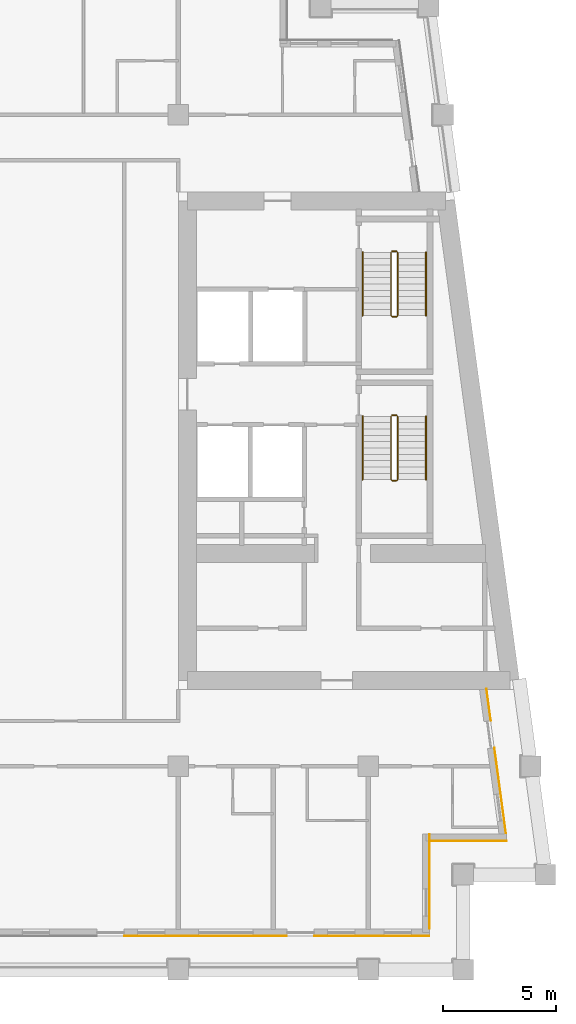
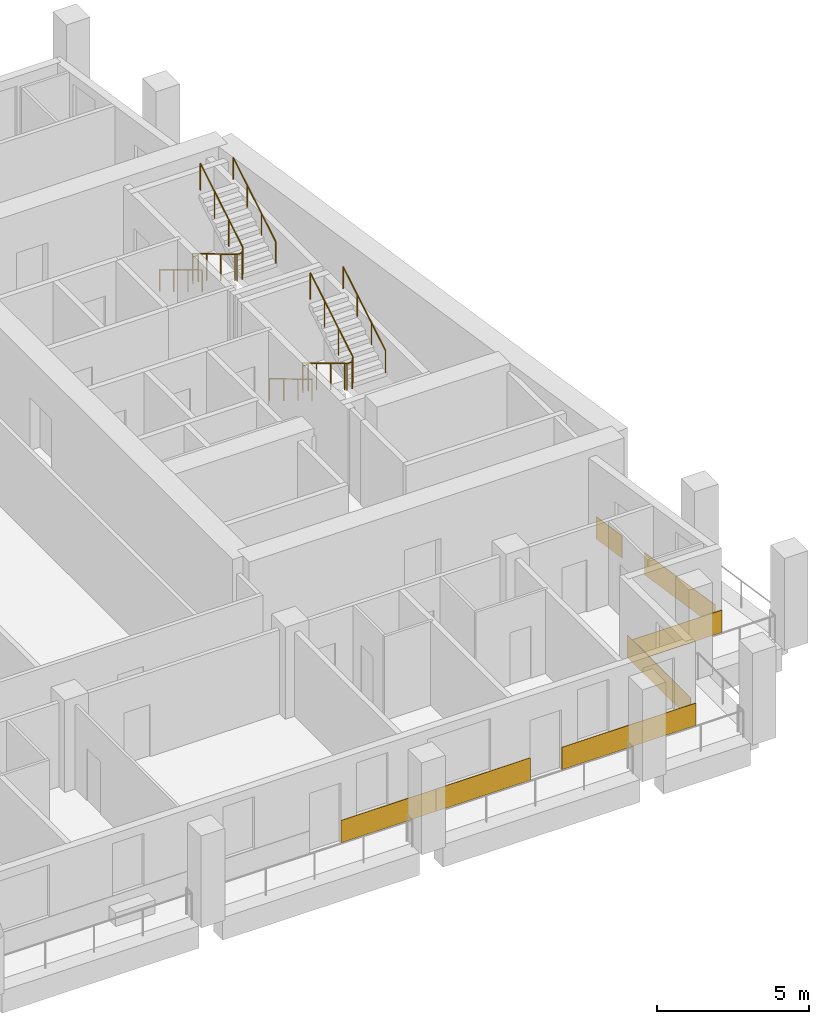
# One storey, part 10 of 12: 8 railings, 7 coverings.
"""IFC4 building model written with IfcOpenShell, lengths in metres."""

from ifc_helpers import new_model, si_unit, direction, frame, origin, origin_2d, place, context, subcontext, project, spatial, rectangle, circle, extrude, material, layer, layer_set, type_object, element, save


model = new_model("IFC4")

# Units and contexts
model_context = context("Model", 3, precision=1e-05, world=origin(), true_north=direction((0.0, 1.0)))
body_context = subcontext(model_context, "Body", "Model", "MODEL_VIEW")
ifc_project = project(units=[si_unit("LENGTHUNIT", "METRE"), si_unit("AREAUNIT", "SQUARE_METRE"), si_unit("VOLUMEUNIT", "CUBIC_METRE"), si_unit("PLANEANGLEUNIT", "RADIAN"), si_unit("MASSUNIT", "GRAM", prefix="KILO")], contexts=[model_context])

# Site, building, storey
site_placement = place(None, origin())
site = spatial("IfcSite", under=ifc_project, at=site_placement, CompositionType="ELEMENT")
building_placement = place(site_placement, origin())
building = spatial("IfcBuilding", under=site, at=building_placement, Name="Candeia Pilgrim Tower and Theatre", CompositionType="ELEMENT")
storey_placement = place(building_placement, frame((0.0, 0.0, 235.5)))
storey = spatial("IfcBuildingStorey", under=building, at=storey_placement, Name="L57", CompositionType="ELEMENT", Elevation=235.5)

# Coverings
ifc_material_1 = material(Name="Glazed ceramic tile bottle green")
ifc_layer_1 = layer(ifc_material_1, 0.02001953125)
ifc_layer_set_1 = layer_set([ifc_layer_1], Name="Glazed ceramic tile bottle green")
covering_type_1 = type_object("IfcCoveringType", Name="Glazed ceramic tile bottle green", PredefinedType="CLADDING", material=ifc_layer_set_1)
covering_1_placement = place(storey_placement, frame((125.39990234375, 99.489990234375, 0.0), z_axis=(0.0, 0.0, 1.0), x_axis=(1.0, 0.0, 0.0)))
element("IfcCovering", 1, at=covering_1_placement, inside=storey, type_object=covering_type_1, Name="Tile cladding bottle green L57", PredefinedType="CLADDING", context=body_context, shape_type="SweptSolid", body=[
    extrude(rectangle(XDim=3.60009765625, YDim=0.02001953125, at=origin_2d()), origin(), (0.0, 0.0, 1.0), 0.89990234375),
])
covering_2_placement = place(storey_placement, frame((137.110107421875, 101.909912109375, 0.0), z_axis=(0.0, 0.0, 1.0), x_axis=(0.0, 1.0, 0.0)))
element("IfcCovering", 2, at=covering_2_placement, inside=storey, type_object=covering_type_1, Name="Tile cladding bottle green L57", PredefinedType="CLADDING", context=body_context, shape_type="SweptSolid", body=[
    extrude(rectangle(XDim=4.179931640625, YDim=0.02001953125, at=origin_2d()), origin(), (0.0, 0.0, 1.0), 0.89990234375),
])
covering_3_placement = place(storey_placement, frame((140.228515625, 105.933349609375, 0.0), z_axis=(0.0, 0.0, 1.0), x_axis=(-0.133412012145, 0.991060661622, 0.0)))
element("IfcCovering", 3, at=covering_3_placement, inside=storey, type_object=covering_type_1, Name="Tile cladding bottle green L57", PredefinedType="CLADDING", context=body_context, shape_type="SweptSolid", body=[
    extrude(rectangle(XDim=3.821044921875, YDim=0.02001953125, at=origin_2d()), origin(), (0.0, 0.0, 1.0), 0.89990234375),
])
covering_4_placement = place(storey_placement, frame((139.718994140625, 109.71875, 0.0), z_axis=(0.0, 0.0, 1.0), x_axis=(-0.133412012145, 0.991060661622, 0.0)))
element("IfcCovering", 4, at=covering_4_placement, inside=storey, type_object=covering_type_1, Name="Tile cladding bottle green L57", PredefinedType="CLADDING", context=body_context, shape_type="SweptSolid", body=[
    extrude(rectangle(XDim=1.41796875, YDim=0.02001953125, at=origin_2d()), origin(), (0.0, 0.0, 1.0), 0.89990234375),
])
ifc_material_2 = material(Name="Glazed ceramic tile rust")
ifc_layer_2 = layer(ifc_material_2, 0.02001953125)
ifc_layer_set_2 = layer_set([ifc_layer_2], Name="Glazed ceramic tile rust")
covering_type_2 = type_object("IfcCoveringType", Name="Glazed ceramic tile rust", PredefinedType="CLADDING", material=ifc_layer_set_2)
covering_5_placement = place(storey_placement, frame((129.0, 99.489990234375, 0.0), z_axis=(0.0, 0.0, 1.0), x_axis=(1.0, 0.0, 0.0)))
element("IfcCovering", 5, at=covering_5_placement, inside=storey, type_object=covering_type_2, Name="Tile cladding rust L57", PredefinedType="CLADDING", context=body_context, shape_type="SweptSolid", body=[
    extrude(rectangle(XDim=3.60009765625, YDim=0.02001953125, at=origin_2d()), origin(), (0.0, 0.0, 1.0), 0.89990234375),
])
covering_6_placement = place(storey_placement, frame((134.550048828125, 99.489990234375, 0.0), z_axis=(0.0, 0.0, 1.0), x_axis=(1.0, 0.0, 0.0)))
element("IfcCovering", 6, at=covering_6_placement, inside=storey, type_object=covering_type_2, Name="Tile cladding rust L57", PredefinedType="CLADDING", context=body_context, shape_type="SweptSolid", body=[
    extrude(rectangle(XDim=5.10009765625, YDim=0.02001953125, at=origin_2d()), origin(), (0.0, 0.0, 1.0), 0.89990234375),
])
covering_7_placement = place(storey_placement, frame((138.819580078125, 103.68994140625, 0.0), z_axis=(0.0, 0.0, 1.0), x_axis=(1.0, 0.0, 0.0)))
element("IfcCovering", 7, at=covering_7_placement, inside=storey, type_object=covering_type_2, Name="Tile cladding rust L57", PredefinedType="CLADDING", context=body_context, shape_type="SweptSolid", body=[
    extrude(rectangle(XDim=3.399169921875, YDim=0.02001953125, at=origin_2d()), origin(), (0.0, 0.0, 1.0), 0.89990234375),
])

# Railings
ifc_material_3 = material(Name="Stainless steel balustrade", Category="steel")
railing_type_1 = type_object("IfcRailingType", Name="RL-GUARD-1100", PredefinedType="GUARDRAIL", material=ifc_material_3)
railing_1_placement = place(storey_placement, frame((135.39794921875, 122.47509765625, 0.168212890625)))
element("IfcRailing", 8, at=railing_1_placement, inside=storey, type_object=railing_type_1, Name="L57 ST3 stair guard 1", PredefinedType="GUARDRAIL", context=body_context, shape_type="SweptSolid", body=[
    extrude(circle(Radius=0.02392578125, at=origin_2d()), frame((0.0, 0.0, 1.076171875), z_axis=(0.0, -0.857242210791, 0.514913383045), x_axis=(1.0, 0.0, 0.0)), (0.0, 0.0, 1.0), 3.266357421875),
    extrude(circle(Radius=0.02392578125, at=origin_2d()), frame((0.0, -2.800048828125, 2.7578125), z_axis=(0.707106781187, -0.707106781187, 0.0), x_axis=(0.707106781187, 0.707106781187, 0.0)), (0.0, 0.0, 1.0), 0.07080078125),
    extrude(circle(Radius=0.02392578125, at=origin_2d()), frame((0.050048828125, -2.85009765625, 2.7578125), z_axis=(1.0, 0.0, 0.0), x_axis=(0.0, 1.0, 0.0)), (0.0, 0.0, 1.0), 0.199951171875),
    extrude(circle(Radius=0.02392578125, at=origin_2d()), frame((0.25, -2.85009765625, 2.7578125), z_axis=(0.274582412415, 0.274582412415, 0.921525364591), x_axis=(-0.707106781187, 0.707106781187, 0.0)), (0.0, 0.0, 1.0), 0.182373046875),
    extrude(circle(Radius=0.02392578125, at=origin_2d()), frame((0.300048828125, -2.800048828125, 2.92578125), z_axis=(0.0, 0.857242210791, 0.514913383045), x_axis=(-1.0, 0.0, 0.0)), (0.0, 0.0, 1.0), 3.266357421875),
    extrude(circle(Radius=0.02099609375, at=origin_2d()), origin(), (0.0, 0.0, 1.0), 1.052001953125),
    extrude(circle(Radius=0.02099609375, at=origin_2d()), frame((0.0, -0.933349609375, 0.560546875)), (0.0, 0.0, 1.0), 1.052001953125),
    extrude(circle(Radius=0.02099609375, at=origin_2d()), frame((0.0, -1.86669921875, 1.121337890625)), (0.0, 0.0, 1.0), 1.052001953125),
    extrude(circle(Radius=0.02099609375, at=origin_2d()), frame((0.0, -2.800048828125, 1.681884765625)), (0.0, 0.0, 1.0), 1.052001953125),
    extrude(circle(Radius=0.02099609375, at=origin_2d()), frame((0.050048828125, -2.85009765625, 1.681884765625)), (0.0, 0.0, 1.0), 1.052001953125),
    extrude(circle(Radius=0.02099609375, at=origin_2d()), frame((0.25, -2.85009765625, 1.681884765625)), (0.0, 0.0, 1.0), 1.052001953125),
    extrude(circle(Radius=0.02099609375, at=origin_2d()), frame((0.300048828125, -2.800048828125, 1.849853515625)), (0.0, 0.0, 1.0), 1.052001953125),
    extrude(circle(Radius=0.02099609375, at=origin_2d()), frame((0.300048828125, -1.86669921875, 2.410400390625)), (0.0, 0.0, 1.0), 1.052001953125),
    extrude(circle(Radius=0.02099609375, at=origin_2d()), frame((0.300048828125, -0.933349609375, 2.97119140625)), (0.0, 0.0, 1.0), 1.052001953125),
    extrude(circle(Radius=0.02099609375, at=origin_2d()), frame((0.300048828125, 0.0, 3.53173828125)), (0.0, 0.0, 1.0), 1.052001953125),
])
railing_2_placement = place(storey_placement, frame((135.447998046875, 122.52490234375, 0.0)))
element("IfcRailing", 9, at=railing_2_placement, inside=storey, type_object=railing_type_1, Name="L57 ST3 stair guard 2", PredefinedType="GUARDRAIL", context=body_context, shape_type="SweptSolid", body=[
    extrude(circle(Radius=0.02392578125, at=origin_2d()), frame((0.0, 0.0, 1.076171875), z_axis=(1.0, 0.0, 0.0), x_axis=(0.0, 1.0, 0.0)), (0.0, 0.0, 1.0), 0.199951171875),
    extrude(circle(Radius=0.02099609375, at=origin_2d()), origin(), (0.0, 0.0, 1.0), 1.052001953125),
    extrude(circle(Radius=0.02099609375, at=origin_2d()), frame((0.199951171875, 0.0, 0.0)), (0.0, 0.0, 1.0), 1.052001953125),
])
railing_3_placement = place(storey_placement, frame((135.39794921875, 129.72509765625, 0.168212890625)))
element("IfcRailing", 10, at=railing_3_placement, inside=storey, type_object=railing_type_1, Name="L57 ST4 stair guard 1", PredefinedType="GUARDRAIL", context=body_context, shape_type="SweptSolid", body=[
    extrude(circle(Radius=0.02392578125, at=origin_2d()), frame((0.0, 0.0, 1.076171875), z_axis=(0.0, -0.857242210791, 0.514913383045), x_axis=(1.0, 0.0, 0.0)), (0.0, 0.0, 1.0), 3.266357421875),
    extrude(circle(Radius=0.02392578125, at=origin_2d()), frame((0.0, -2.800048828125, 2.7578125), z_axis=(0.707106781187, -0.707106781187, 0.0), x_axis=(0.707106781187, 0.707106781187, 0.0)), (0.0, 0.0, 1.0), 0.07080078125),
    extrude(circle(Radius=0.02392578125, at=origin_2d()), frame((0.050048828125, -2.85009765625, 2.7578125), z_axis=(1.0, 0.0, 0.0), x_axis=(0.0, 1.0, 0.0)), (0.0, 0.0, 1.0), 0.199951171875),
    extrude(circle(Radius=0.02392578125, at=origin_2d()), frame((0.25, -2.85009765625, 2.7578125), z_axis=(0.274582412415, 0.274582412415, 0.921525364591), x_axis=(-0.707106781187, 0.707106781187, 0.0)), (0.0, 0.0, 1.0), 0.182373046875),
    extrude(circle(Radius=0.02392578125, at=origin_2d()), frame((0.300048828125, -2.800048828125, 2.92578125), z_axis=(0.0, 0.857242210791, 0.514913383045), x_axis=(-1.0, 0.0, 0.0)), (0.0, 0.0, 1.0), 3.266357421875),
    extrude(circle(Radius=0.02099609375, at=origin_2d()), origin(), (0.0, 0.0, 1.0), 1.052001953125),
    extrude(circle(Radius=0.02099609375, at=origin_2d()), frame((0.0, -0.933349609375, 0.560546875)), (0.0, 0.0, 1.0), 1.052001953125),
    extrude(circle(Radius=0.02099609375, at=origin_2d()), frame((0.0, -1.86669921875, 1.121337890625)), (0.0, 0.0, 1.0), 1.052001953125),
    extrude(circle(Radius=0.02099609375, at=origin_2d()), frame((0.0, -2.800048828125, 1.681884765625)), (0.0, 0.0, 1.0), 1.052001953125),
    extrude(circle(Radius=0.02099609375, at=origin_2d()), frame((0.050048828125, -2.85009765625, 1.681884765625)), (0.0, 0.0, 1.0), 1.052001953125),
    extrude(circle(Radius=0.02099609375, at=origin_2d()), frame((0.25, -2.85009765625, 1.681884765625)), (0.0, 0.0, 1.0), 1.052001953125),
    extrude(circle(Radius=0.02099609375, at=origin_2d()), frame((0.300048828125, -2.800048828125, 1.849853515625)), (0.0, 0.0, 1.0), 1.052001953125),
    extrude(circle(Radius=0.02099609375, at=origin_2d()), frame((0.300048828125, -1.86669921875, 2.410400390625)), (0.0, 0.0, 1.0), 1.052001953125),
    extrude(circle(Radius=0.02099609375, at=origin_2d()), frame((0.300048828125, -0.933349609375, 2.97119140625)), (0.0, 0.0, 1.0), 1.052001953125),
    extrude(circle(Radius=0.02099609375, at=origin_2d()), frame((0.300048828125, 0.0, 3.53173828125)), (0.0, 0.0, 1.0), 1.052001953125),
])
railing_4_placement = place(storey_placement, frame((135.447998046875, 129.77490234375, 0.0)))
element("IfcRailing", 11, at=railing_4_placement, inside=storey, type_object=railing_type_1, Name="L57 ST4 stair guard 2", PredefinedType="GUARDRAIL", context=body_context, shape_type="SweptSolid", body=[
    extrude(circle(Radius=0.02392578125, at=origin_2d()), frame((0.0, 0.0, 1.076171875), z_axis=(1.0, 0.0, 0.0), x_axis=(0.0, 1.0, 0.0)), (0.0, 0.0, 1.0), 0.199951171875),
    extrude(circle(Radius=0.02099609375, at=origin_2d()), origin(), (0.0, 0.0, 1.0), 1.052001953125),
    extrude(circle(Radius=0.02099609375, at=origin_2d()), frame((0.199951171875, 0.0, 0.0)), (0.0, 0.0, 1.0), 1.052001953125),
])
ifc_material_4 = material(Name="Stainless steel handrail", Category="steel")
railing_type_2 = type_object("IfcRailingType", Name="RL-HANDRAIL-900", PredefinedType="HANDRAIL", material=ifc_material_4)
railing_5_placement = place(storey_placement, frame((134.14794921875, 122.47509765625, 0.168212890625)))
element("IfcRailing", 12, at=railing_5_placement, inside=storey, type_object=railing_type_2, Name="L57 ST3 stair handrail 1", PredefinedType="HANDRAIL", context=body_context, shape_type="SweptSolid", body=[
    extrude(circle(Radius=0.02392578125, at=origin_2d()), frame((0.0, 0.0, 0.8759765625), z_axis=(0.0, -0.857242210791, 0.514913383045), x_axis=(1.0, 0.0, 0.0)), (0.0, 0.0, 1.0), 3.266357421875),
    extrude(circle(Radius=0.02099609375, at=origin_2d()), origin(), (0.0, 0.0, 1.0), 0.851806640625),
    extrude(circle(Radius=0.02099609375, at=origin_2d()), frame((0.0, -0.933349609375, 0.560546875)), (0.0, 0.0, 1.0), 0.851806640625),
    extrude(circle(Radius=0.02099609375, at=origin_2d()), frame((0.0, -1.86669921875, 1.121337890625)), (0.0, 0.0, 1.0), 0.851806640625),
    extrude(circle(Radius=0.02099609375, at=origin_2d()), frame((0.0, -2.800048828125, 1.681884765625)), (0.0, 0.0, 1.0), 0.851806640625),
])
railing_6_placement = place(storey_placement, frame((136.947998046875, 119.675048828125, 2.01806640625)))
element("IfcRailing", 13, at=railing_6_placement, inside=storey, type_object=railing_type_2, Name="L57 ST3 stair handrail 2", PredefinedType="HANDRAIL", context=body_context, shape_type="SweptSolid", body=[
    extrude(circle(Radius=0.02392578125, at=origin_2d()), frame((0.0, 0.0, 0.8759765625), z_axis=(0.0, 0.857242210791, 0.514913383045), x_axis=(-1.0, 0.0, 0.0)), (0.0, 0.0, 1.0), 3.266357421875),
    extrude(circle(Radius=0.02099609375, at=origin_2d()), origin(), (0.0, 0.0, 1.0), 0.851806640625),
    extrude(circle(Radius=0.02099609375, at=origin_2d()), frame((0.0, 0.933349609375, 0.560546875)), (0.0, 0.0, 1.0), 0.851806640625),
    extrude(circle(Radius=0.02099609375, at=origin_2d()), frame((0.0, 1.86669921875, 1.121337890625)), (0.0, 0.0, 1.0), 0.851806640625),
    extrude(circle(Radius=0.02099609375, at=origin_2d()), frame((0.0, 2.800048828125, 1.681884765625)), (0.0, 0.0, 1.0), 0.851806640625),
])
railing_7_placement = place(storey_placement, frame((134.14794921875, 129.72509765625, 0.168212890625)))
element("IfcRailing", 14, at=railing_7_placement, inside=storey, type_object=railing_type_2, Name="L57 ST4 stair handrail 1", PredefinedType="HANDRAIL", context=body_context, shape_type="SweptSolid", body=[
    extrude(circle(Radius=0.02392578125, at=origin_2d()), frame((0.0, 0.0, 0.8759765625), z_axis=(0.0, -0.857242210791, 0.514913383045), x_axis=(1.0, 0.0, 0.0)), (0.0, 0.0, 1.0), 3.266357421875),
    extrude(circle(Radius=0.02099609375, at=origin_2d()), origin(), (0.0, 0.0, 1.0), 0.851806640625),
    extrude(circle(Radius=0.02099609375, at=origin_2d()), frame((0.0, -0.933349609375, 0.560546875)), (0.0, 0.0, 1.0), 0.851806640625),
    extrude(circle(Radius=0.02099609375, at=origin_2d()), frame((0.0, -1.86669921875, 1.121337890625)), (0.0, 0.0, 1.0), 0.851806640625),
    extrude(circle(Radius=0.02099609375, at=origin_2d()), frame((0.0, -2.800048828125, 1.681884765625)), (0.0, 0.0, 1.0), 0.851806640625),
])
railing_8_placement = place(storey_placement, frame((136.947998046875, 126.925048828125, 2.01806640625)))
element("IfcRailing", 15, at=railing_8_placement, inside=storey, type_object=railing_type_2, Name="L57 ST4 stair handrail 2", PredefinedType="HANDRAIL", context=body_context, shape_type="SweptSolid", body=[
    extrude(circle(Radius=0.02392578125, at=origin_2d()), frame((0.0, 0.0, 0.8759765625), z_axis=(0.0, 0.857242210791, 0.514913383045), x_axis=(-1.0, 0.0, 0.0)), (0.0, 0.0, 1.0), 3.266357421875),
    extrude(circle(Radius=0.02099609375, at=origin_2d()), origin(), (0.0, 0.0, 1.0), 0.851806640625),
    extrude(circle(Radius=0.02099609375, at=origin_2d()), frame((0.0, 0.933349609375, 0.560546875)), (0.0, 0.0, 1.0), 0.851806640625),
    extrude(circle(Radius=0.02099609375, at=origin_2d()), frame((0.0, 1.86669921875, 1.121337890625)), (0.0, 0.0, 1.0), 0.851806640625),
    extrude(circle(Radius=0.02099609375, at=origin_2d()), frame((0.0, 2.800048828125, 1.681884765625)), (0.0, 0.0, 1.0), 0.851806640625),
])

save(model, "model.ifc")
